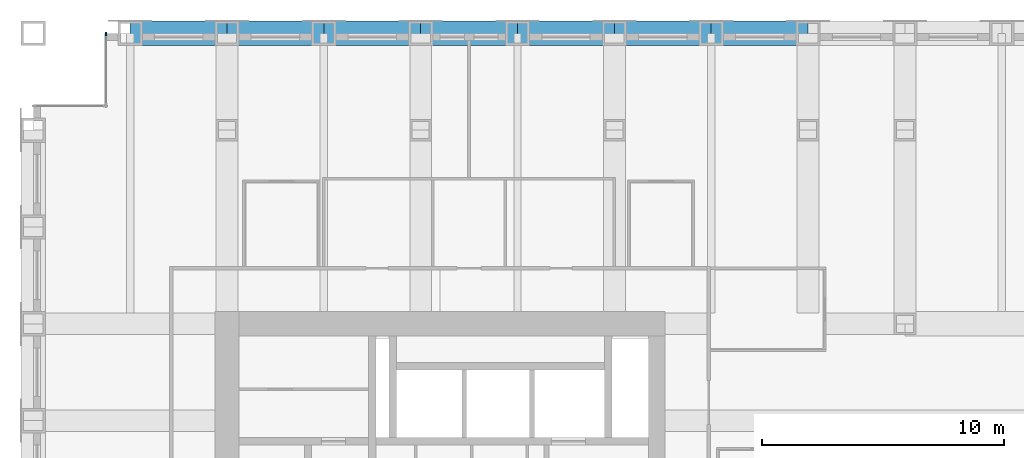
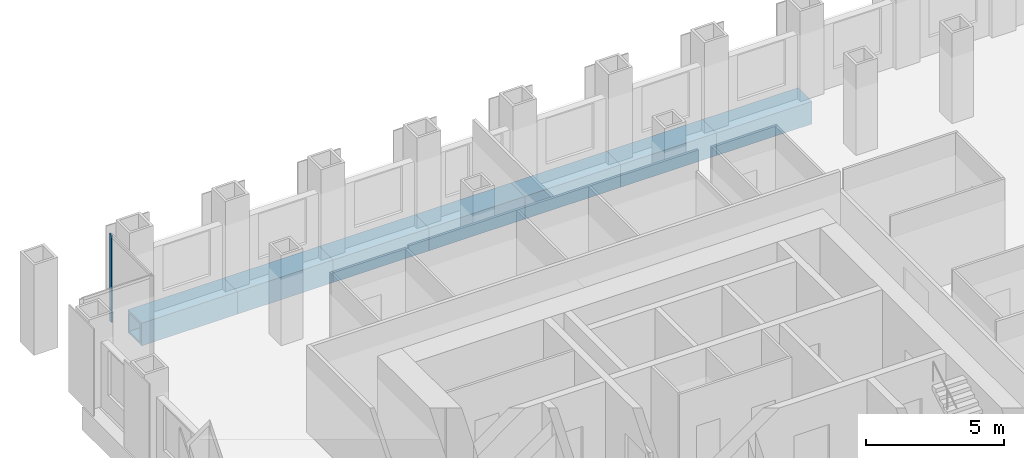
# One storey, part 8 of 16: 7 beams, 1 member, 1 element without a shape of its own.
"""IFC4 building model written with IfcOpenShell, lengths in metres."""

from ifc_helpers import new_model, si_unit, direction, frame, origin, origin_2d, place, context, subcontext, project, spatial, rectangle, hollow_rectangle, extrude, material, material_profile, profile_set, type_object, element, aggregate, save


model = new_model("IFC4")

# Units and contexts
model_context = context("Model", 3, precision=1e-05, world=origin(), true_north=direction((0.0, 1.0)))
body_context = subcontext(model_context, "Body", "Model", "MODEL_VIEW")
ifc_project = project(units=[si_unit("LENGTHUNIT", "METRE"), si_unit("AREAUNIT", "SQUARE_METRE"), si_unit("VOLUMEUNIT", "CUBIC_METRE"), si_unit("PLANEANGLEUNIT", "RADIAN"), si_unit("MASSUNIT", "GRAM", prefix="KILO")], contexts=[model_context])

# Site, building, storey
site_placement = place(None, origin())
site = spatial("IfcSite", under=ifc_project, at=site_placement, CompositionType="ELEMENT")
building_placement = place(site_placement, origin())
building = spatial("IfcBuilding", under=site, at=building_placement, Name="Rimbunsela Tower", CompositionType="ELEMENT")
storey_placement = place(building_placement, frame((0.0, 0.0, 97.39990234375)))
storey = spatial("IfcBuildingStorey", under=building, at=storey_placement, Name="L23", CompositionType="ELEMENT", Elevation=97.39990234375)

# Beams
ifc_material_1 = material(Name="Steel BJ 55 (fy 410 MPa)", Category="steel")
ifc_material_profile_1 = material_profile(ifc_material_1, hollow_rectangle(XDim=1.0, YDim=1.0, WallThickness=0.10009765625, at=origin_2d()), Name="BOX 1000x1000x100")
ifc_profile_set_1 = profile_set([ifc_material_profile_1], Name="Steel BJ 55 (fy 410 MPa)")
beam_type = type_object("IfcBeamType", Name="Beam BOX 1000x1000x100", PredefinedType="BEAM", material=ifc_profile_set_1)
for number, where, z_axis, x_axis, name in (
    (1, (14.0, 48.0, -0.64990234375), (1.0, 0.0, 0.0), (0.0, 1.0, 0.0), "Beam B3 L23"),
    (2, (18.0, 48.0, -0.64990234375), (1.0, 0.0, 0.0), (0.0, 1.0, 0.0), "Beam B3 L23"),
    (3, (22.0, 48.0, -0.64990234375), (1.0, 0.0, 0.0), (0.0, 1.0, 0.0), "Beam B3 L23"),
    (4, (26.0, 48.0, -0.64990234375), (1.0, 0.0, 0.0), (0.0, 1.0, 0.0), "Beam B3 L23"),
    (5, (30.0, 48.0, -0.64990234375), (1.0, 0.0, 0.0), (0.0, 1.0, 0.0), "Beam B3 L23"),
    (6, (34.0, 48.0, -0.64990234375), (1.0, 0.0, 0.0), (0.0, 1.0, 0.0), "Beam B3 L23"),
    (7, (38.0, 48.0, -0.64990234375), (1.0, 0.0, 0.0), (0.0, 1.0, 0.0), "Beam B3 L23"),
):
    element("IfcBeam", number, at=place(storey_placement, frame(where, z_axis=z_axis, x_axis=x_axis)), inside=storey, type_object=beam_type, Name=name, PredefinedType="BEAM", context=body_context, shape_type="SweptSolid", body=[
        extrude(hollow_rectangle(XDim=1.0, YDim=1.0, WallThickness=0.10009765625, at=origin_2d()), origin(), (0.0, 0.0, 1.0), 4.0),
    ])

# Curtain wall, member
ifc_material_2 = material(Name="Aluminium curtain wall", Category="aluminium")
curtain_wall_type = type_object("IfcCurtainWallType", Name="Corner glazing", PredefinedType="USERDEFINED", material=ifc_material_2)
curtain_wall_placement = place(storey_placement, origin())
curtain_wall = element("IfcCurtainWall", 8, at=curtain_wall_placement, inside=storey, type_object=curtain_wall_type, Name="Corner glazing L23", ObjectType="CORNER GLAZING", PredefinedType="USERDEFINED")
ifc_material_3 = material(Name="Aluminium mullion", Category="aluminium")
ifc_material_profile_2 = material_profile(ifc_material_3, rectangle(XDim=0.06005859375, YDim=0.159912109375, at=origin_2d()), Name="Mullion 60x160")
ifc_profile_set_2 = profile_set([ifc_material_profile_2], Name="Aluminium mullion")
member_type = type_object("IfcMemberType", Name="Curtain wall mullion 60x160", PredefinedType="MULLION", material=ifc_profile_set_2)
member_placement = place(storey_placement, frame((13.0, 47.969970703125, 0.0), z_axis=(0.0, 0.0, 1.0), x_axis=(1.0, 0.0, 0.0)))
member = element("IfcMember", 9, at=member_placement, type_object=member_type, Name="CW5 mullion 1", PredefinedType="MULLION", context=body_context, shape_type="SweptSolid", body=[
    extrude(rectangle(XDim=0.06005859375, YDim=0.159912109375, at=origin_2d()), origin(), (0.0, 0.0, 1.0), 3.85009765625),
])
aggregate(curtain_wall, [member])

save(model, "model.ifc")
